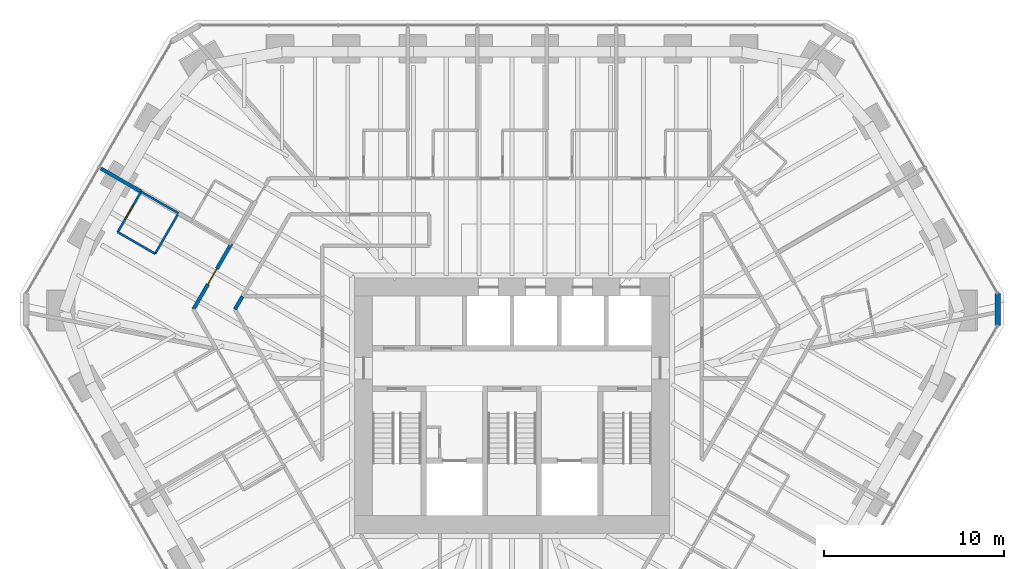
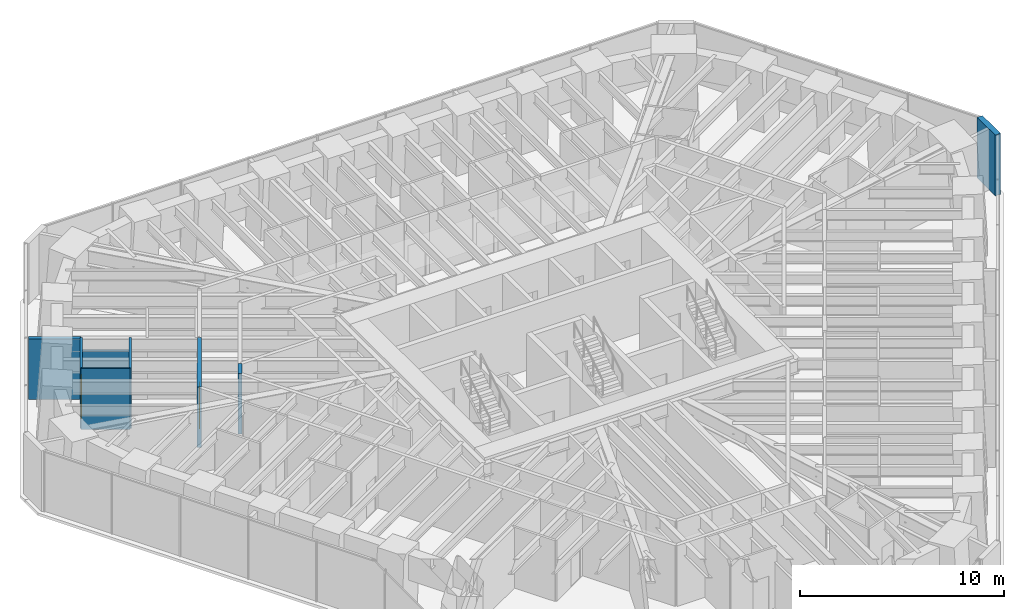
# One storey, part 14 of 17: 8 walls, 2 doors, 2 openings.
"""IFC4 building model written with IfcOpenShell, lengths in metres."""

from ifc_helpers import new_model, si_unit, direction, frame, frame_2d, origin, place, context, subcontext, project, spatial, rectangle, extrude, material, layer, layer_set, type_object, element, fill, save


model = new_model("IFC4")

# Units and contexts
model_context = context("Model", 3, precision=1e-05, world=origin(), true_north=direction((0.0, 1.0)))
body_context = subcontext(model_context, "Body", "Model", "MODEL_VIEW")
ifc_project = project(units=[si_unit("LENGTHUNIT", "METRE"), si_unit("AREAUNIT", "SQUARE_METRE"), si_unit("VOLUMEUNIT", "CUBIC_METRE"), si_unit("PLANEANGLEUNIT", "RADIAN"), si_unit("MASSUNIT", "GRAM", prefix="KILO")], contexts=[model_context])

# Site, building, storey
site_placement = place(None, origin())
site = spatial("IfcSite", under=ifc_project, at=site_placement, CompositionType="ELEMENT")
building_placement = place(site_placement, origin())
building = spatial("IfcBuilding", under=site, at=building_placement, Name="Sandreach Pilgrim Tower", CompositionType="ELEMENT")
storey_placement = place(building_placement, frame((0.0, 0.0, 232.60009765625)))
storey = spatial("IfcBuildingStorey", under=building, at=storey_placement, Name="L58", CompositionType="ELEMENT", Elevation=232.60009765625)

# Wall
ifc_material_1 = material(Name="Moisture-resistant gypsum board on steel studs", Category="steel")
ifc_layer_1 = layer(ifc_material_1, 0.1201171875)
ifc_layer_set_1 = layer_set([ifc_layer_1], Name="Bathroom partition 120")
wall_type_1 = type_object("IfcWallType", Name="Bathroom partition 120", PredefinedType="PARTITIONING", material=ifc_layer_set_1)
wall_1_placement = place(storey_placement, frame((-21.929931640625, 9.659912109375, 0.0), z_axis=(0.0, 0.0, 1.0), x_axis=(0.866177122335, -0.499737123639, 0.0)))
element("IfcWall", 1, at=wall_1_placement, inside=storey, type_object=wall_type_1, Name="Bathroom partition L58-003", PredefinedType="PARTITIONING", context=body_context, shape_type="SweptSolid", body=[
    extrude(rectangle(XDim=2.401123046875, YDim=0.1201171875, at=frame_2d((1.20068359375, 0.0))), origin(), (0.0, 0.0, 1.0), 3.639892578125),
])

# Wall, opening, door
wall_2_placement = place(storey_placement, frame((-20.6298828125, 11.909912109375, 0.0), z_axis=(0.0, 0.0, 1.0), x_axis=(-0.500291685314, -0.865856933682, 0.0)))
wall_2 = element("IfcWall", 2, at=wall_2_placement, inside=storey, type_object=wall_type_1, Name="Bathroom partition L58-005", PredefinedType="PARTITIONING", context=body_context, shape_type="SweptSolid", body=[
    extrude(rectangle(XDim=2.5986328125, YDim=0.1201171875, at=frame_2d((1.29931640625, 0.0))), origin(), (0.0, 0.0, 1.0), 3.639892578125),
])
opening_1_placement = place(wall_2_placement, frame((0.85009765625, 0.0, 0.0)))
opening_1 = element("IfcOpeningElement", 3, at=opening_1_placement, cuts=wall_2, Name="Opening D09-18B", PredefinedType="OPENING", context=body_context, shape_type="SweptSolid", body=[
    extrude(rectangle(XDim=0.89990234375, YDim=2.030029296875, at=frame_2d((0.449951171875, 1.01513671875))), frame((0.0, 0.06005859375, 0.0), z_axis=(0.0, -1.0, 0.0), x_axis=(1.0, 0.0, 0.0)), (0.0, 0.0, 1.0), 0.1201171875),
])
ifc_material_2 = material(Name="Timber door, steel frame", Category="steel")
door_type_1 = type_object("IfcDoorType", Name="Bathroom door", OperationType="SINGLE_SWING_LEFT", PredefinedType="DOOR", material=ifc_material_2)
door_1_placement = place(opening_1_placement, origin())
door_1 = element("IfcDoor", 4, at=door_1_placement, inside=storey, type_object=door_type_1, Name="Door 5818B", OperationType="SINGLE_SWING_LEFT", OverallHeight=2.030029296875, OverallWidth=0.89990234375, PredefinedType="DOOR", context=body_context, shape_type="SweptSolid", body=[
    extrude(rectangle(XDim=0.89990234375, YDim=2.030029296875, at=frame_2d((0.449951171875, 1.01513671875))), frame((0.0, 0.02490234375, 0.0), z_axis=(0.0, -1.0, 0.0), x_axis=(1.0, 0.0, 0.0)), (0.0, 0.0, 1.0), 0.050048828125),
])
fill(opening_1, door_1)

# Walls
wall_3_placement = place(storey_placement, frame((-20.6298828125, 11.909912109375, 0.0), z_axis=(0.0, 0.0, 1.0), x_axis=(0.866177122335, -0.499737123639, 0.0)))
element("IfcWall", 5, at=wall_3_placement, inside=storey, type_object=wall_type_1, Name="Bathroom partition L58-006", PredefinedType="PARTITIONING", context=body_context, shape_type="SweptSolid", body=[
    extrude(rectangle(XDim=2.401123046875, YDim=0.1201171875, at=frame_2d((1.20068359375, 0.0))), origin(), (0.0, 0.0, 1.0), 2.8779296875),
])
wall_4_placement = place(storey_placement, frame((-19.85009765625, 8.4599609375, 0.0), z_axis=(0.0, 0.0, 1.0), x_axis=(0.500291685314, 0.865856933682, 0.0)))
element("IfcWall", 6, at=wall_4_placement, inside=storey, type_object=wall_type_1, Name="Bathroom partition L58-007", PredefinedType="PARTITIONING", context=body_context, shape_type="SweptSolid", body=[
    extrude(rectangle(XDim=2.5986328125, YDim=0.1201171875, at=frame_2d((1.29931640625, 0.0))), origin(), (0.0, 0.0, 1.0), 3.639892578125),
])

# Wall, opening, door
ifc_material_3 = material(Name="Gypsum board on steel studs, two layers each side", Category="steel")
ifc_layer_2 = layer(ifc_material_3, 0.199951171875)
ifc_layer_set_2 = layer_set([ifc_layer_2], Name="Corridor wall 200")
wall_type_2 = type_object("IfcWallType", Name="Corridor wall 200", PredefinedType="PARTITIONING", material=ifc_layer_set_2)
wall_5_placement = place(storey_placement, frame((-17.719970703125, 5.3701171875, 0.0), z_axis=(0.0, 0.0, 1.0), x_axis=(0.501491408171, 0.865162624904, 0.0)))
wall_5 = element("IfcWall", 7, at=wall_5_placement, inside=storey, type_object=wall_type_2, Name="Corridor wall L58-012", PredefinedType="PARTITIONING", context=body_context, shape_type="SweptSolid", body=[
    extrude(rectangle(XDim=4.207275390625, YDim=0.199951171875, at=frame_2d((2.103515625, 0.0))), origin(), (0.0, 0.0, 1.0), 3.639892578125),
])
opening_2_placement = place(wall_5_placement, frame((1.603759765625, 0.0, 0.0)))
opening_2 = element("IfcOpeningElement", 8, at=opening_2_placement, cuts=wall_5, Name="Opening D10-18", PredefinedType="OPENING", context=body_context, shape_type="SweptSolid", body=[
    extrude(rectangle(XDim=1.0, YDim=2.1298828125, at=frame_2d((0.5, 1.06494140625))), frame((0.0, 0.10009765625, 0.0), z_axis=(0.0, -1.0, 0.0), x_axis=(1.0, 0.0, 0.0)), (0.0, 0.0, 1.0), 0.199951171875),
])
ifc_material_4 = material(Name="Steel door and frame", Category="steel")
door_type_2 = type_object("IfcDoorType", Name="Guest room entry door", OperationType="SINGLE_SWING_LEFT", PredefinedType="DOOR", material=ifc_material_4)
door_2_placement = place(opening_2_placement, origin())
door_2 = element("IfcDoor", 9, at=door_2_placement, inside=storey, type_object=door_type_2, Name="Door 5818", OperationType="SINGLE_SWING_LEFT", OverallHeight=2.1298828125, OverallWidth=1.0, PredefinedType="DOOR", context=body_context, shape_type="SweptSolid", body=[
    extrude(rectangle(XDim=1.0, YDim=2.1298828125, at=frame_2d((0.5, 1.06494140625))), frame((0.0, 0.02490234375, 0.0), z_axis=(0.0, -1.0, 0.0), x_axis=(1.0, 0.0, 0.0)), (0.0, 0.0, 1.0), 0.050048828125),
])
fill(opening_2, door_2)

# Walls
wall_6_placement = place(storey_placement, frame((-15.409912109375, 5.3701171875, 0.0), z_axis=(0.0, 0.0, 1.0), x_axis=(0.503943891868, 0.863736391412, 0.0)))
element("IfcWall", 10, at=wall_6_placement, inside=storey, type_object=wall_type_2, Name="Corridor wall L58-022", PredefinedType="PARTITIONING", context=body_context, shape_type="SweptSolid", body=[
    extrude(rectangle(XDim=0.833251953125, YDim=0.199951171875, at=frame_2d((0.41650390625, 0.0))), origin(), (0.0, 0.0, 1.0), 3.639892578125),
])
ifc_material_5 = material(Name="Double steel stud acoustic wall, gypsum board", Category="steel")
ifc_layer_3 = layer(ifc_material_5, 0.199951171875)
ifc_layer_set_3 = layer_set([ifc_layer_3], Name="Party wall 200")
wall_type_3 = type_object("IfcWallType", Name="Party wall 200", PredefinedType="PARTITIONING", material=ifc_layer_set_3)
wall_7_placement = place(storey_placement, frame((-22.865966796875, 13.199951171875, 0.0), z_axis=(0.0, 0.0, 1.0), x_axis=(0.866187160499, -0.499719724432, 0.0)))
element("IfcWall", 11, at=wall_7_placement, inside=storey, type_object=wall_type_3, Name="Party wall L58-002", PredefinedType="PARTITIONING", context=body_context, shape_type="SweptSolid", body=[
    extrude(rectangle(XDim=2.58154296875, YDim=0.199951171875, at=frame_2d((1.290771484375, 0.0))), origin(), (0.0, 0.0, 1.0), 3.639892578125),
])
ifc_material_6 = material(Name="Terracotta rainscreen on concrete", Category="masonry")
ifc_layer_4 = layer(ifc_material_6, 0.300048828125)
ifc_layer_set_4 = layer_set([ifc_layer_4], Name="Terracotta chamfer pier")
wall_type_4 = type_object("IfcWallType", Name="Terracotta chamfer pier", PredefinedType="SOLIDWALL", material=ifc_layer_set_4)
wall_8_placement = place(storey_placement, frame((27.02001953125, 6.25, 0.0), z_axis=(0.0, 0.0, 1.0), x_axis=(0.0, -1.0, 0.0)))
element("IfcWall", 12, at=wall_8_placement, inside=storey, type_object=wall_type_4, Name="Chamfer pier L58 NE", PredefinedType="SOLIDWALL", context=body_context, shape_type="SweptSolid", body=[
    extrude(rectangle(XDim=1.77001953125, YDim=0.300048828125, at=frame_2d((0.885009765625, 0.0))), origin(), (0.0, 0.0, 1.0), 3.639892578125),
])

save(model, "model.ifc")
